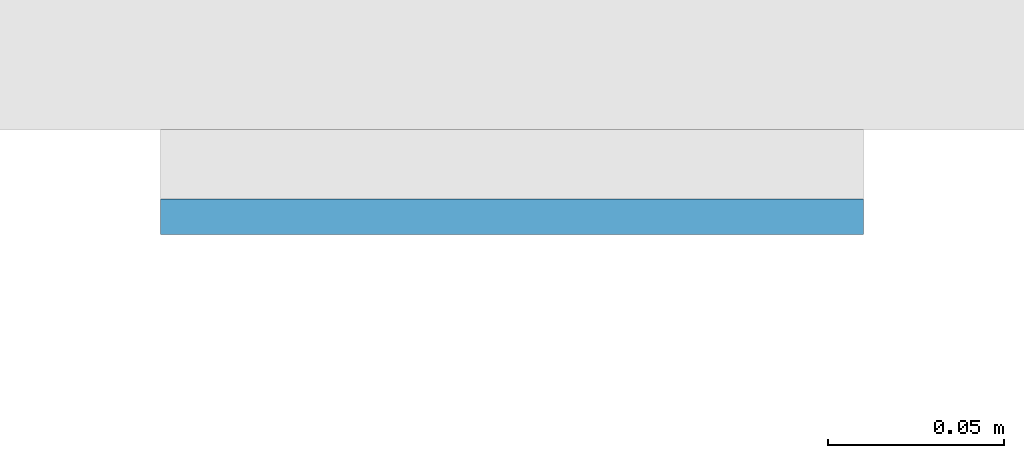
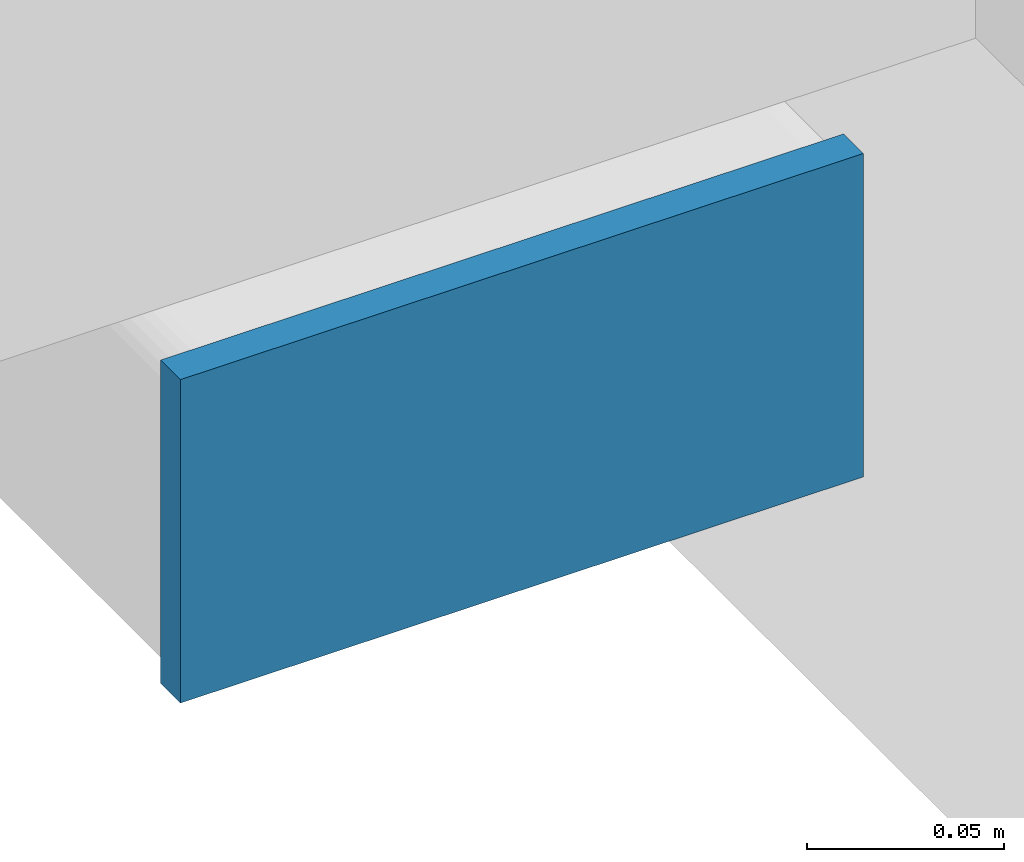
# One storey, part 8 of 20: 1 plate.
"""IFC4 building model written with IfcOpenShell, lengths in metres."""

from ifc_helpers import new_model, si_unit, direction, frame, origin, origin_2d, place, context, subcontext, project, spatial, rectangle, extrude, material, layer, layer_set, type_object, element, save


model = new_model("IFC4")

# Units and contexts
model_context = context("Model", 3, precision=1e-05, world=origin(), true_north=direction((0.0, 1.0)))
body_context = subcontext(model_context, "Body", "Model", "MODEL_VIEW")
ifc_project = project(units=[si_unit("LENGTHUNIT", "METRE"), si_unit("AREAUNIT", "SQUARE_METRE"), si_unit("VOLUMEUNIT", "CUBIC_METRE"), si_unit("PLANEANGLEUNIT", "RADIAN"), si_unit("MASSUNIT", "GRAM", prefix="KILO")], contexts=[model_context])

# Site, building, storey
site_placement = place(None, origin())
site = spatial("IfcSite", under=ifc_project, at=site_placement, CompositionType="ELEMENT")
building_placement = place(site_placement, origin())
building = spatial("IfcBuilding", under=site, at=building_placement, Name="Cleftline Residences", CompositionType="ELEMENT")
storey_placement = place(building_placement, frame((0.0, 0.0, 214.60009765625)))
storey = spatial("IfcBuildingStorey", under=building, at=storey_placement, Name="L56", CompositionType="ELEMENT", Elevation=214.60009765625)

# Plate
ifc_material = material(Name="Steel S355, hot-dip galvanised", Category="steel")
ifc_layer = layer(ifc_material, 0.010009765625)
ifc_layer_set = layer_set([ifc_layer], Name="BAGUETTE CARRIER END PLATE 200X100X10")
plate_type = type_object("IfcPlateType", Name="BAGUETTE CARRIER END PLATE 200X100X10", PredefinedType="USERDEFINED", material=ifc_layer_set)
plate_placement = place(storey_placement, frame((-0.85009765625, 3.695068359375, -0.10009765625), z_axis=(0.0, 0.0, 1.0), x_axis=(-1.0, 0.0, 0.0)))
element("IfcPlate", 1, at=plate_placement, inside=storey, type_object=plate_type, Name="Baguette carrier end plate", ObjectType="BAGUETTE CARRIER END PLATE", PredefinedType="USERDEFINED", context=body_context, shape_type="SweptSolid", body=[
    extrude(rectangle(XDim=0.199951171875, YDim=0.010009765625, at=origin_2d()), origin(), (0.0, 0.0, 1.0), 0.10009765625),
])

save(model, "model.ifc")
